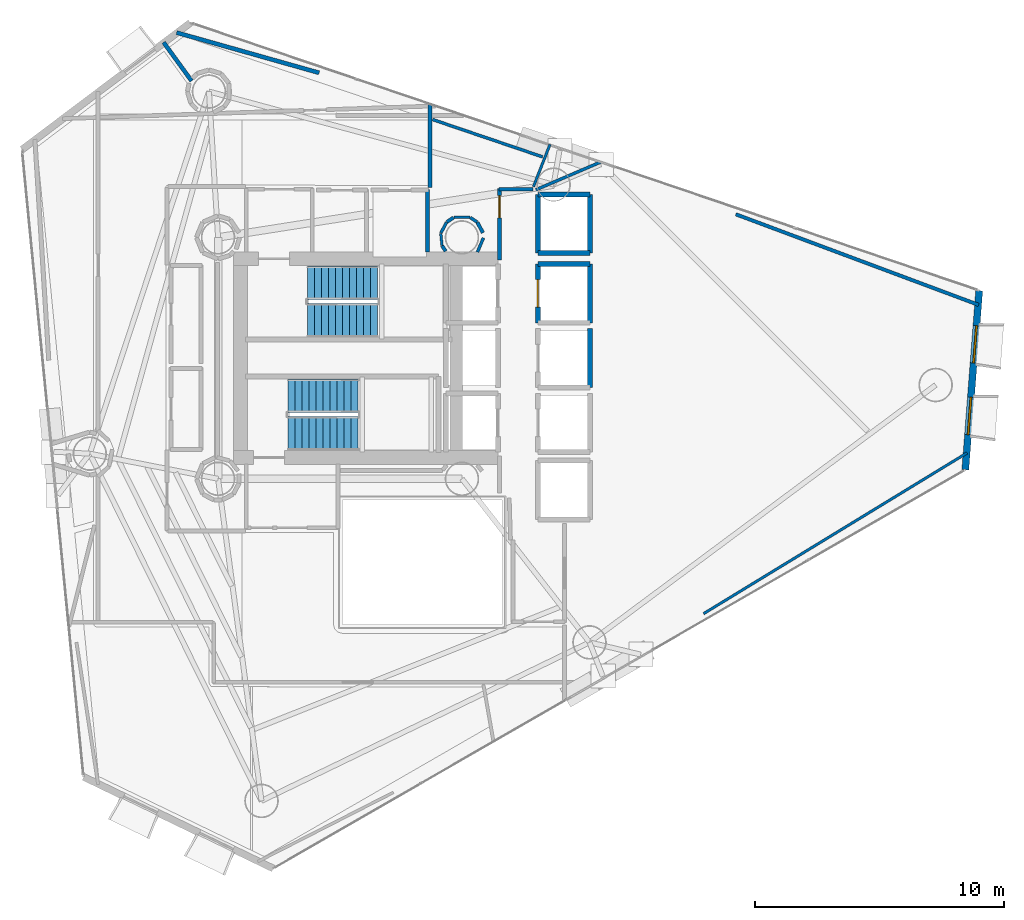
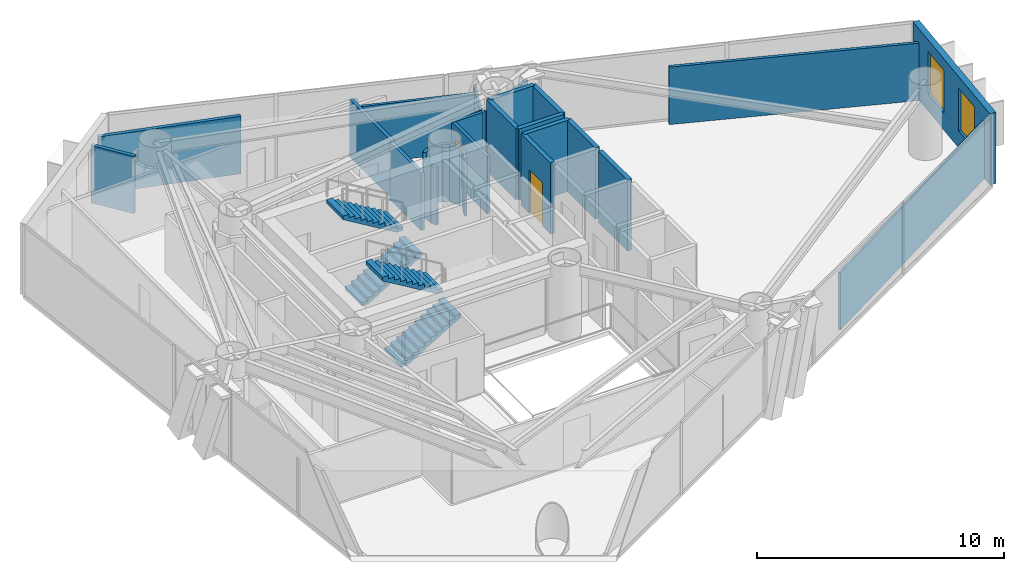
# One storey, part 20 of 22: 28 walls, 4 stair flights, 2 doors, 2 windows, 4 openings, 2 elements without a shape of their own.
"""IFC4 building model written with IfcOpenShell, lengths in metres."""

import ifcopenshell
import ifcopenshell.guid

model = None  # the IFC model being written
_history = None  # IfcOwnerHistory: only IFC2X3 demands one
_inside = {}  # id of a spatial element -> (the spatial element, [elements in it])
_under = {}  # id of a project, library or spatial element -> (it, [spatial elements below it])
_declared = {}  # id of a project -> (the project, [libraries it declares])
_typed = {}  # id of a type object -> (the type object, [elements of that type])
_made_of = {}  # id of a material, layer set ... -> (it, [elements and type objects made of it])


def new_model(schema):
    """Start an empty IFC model of exactly this schema.

    Asked for "IFC4X3", IfcOpenShell would pick the latest addendum, in which some entities
    have other attributes; the version numbers below select the first issue.
    IFC2X3 requires an IfcOwnerHistory on every rooted entity: one is made here for all.
    """
    global model, _history
    if schema == "IFC4X3":
        model = ifcopenshell.file(schema_version=(4, 3, 0, 0))
    else:
        model = ifcopenshell.file(schema=schema)
    _inside.clear()
    _under.clear()
    _declared.clear()
    _typed.clear()
    _made_of.clear()
    _history = None
    if model.schema == "IFC2X3":
        org = make("IfcOrganization", Name="unknown")
        user = make(
            "IfcPersonAndOrganization",
            ThePerson=make("IfcPerson", FamilyName="unknown"),
            TheOrganization=org,
        )
        app = make(
            "IfcApplication",
            ApplicationDeveloper=org,
            Version="unknown",
            ApplicationFullName="unknown",
            ApplicationIdentifier="unknown",
        )
        _history = make(
            "IfcOwnerHistory",
            OwningUser=user,
            OwningApplication=app,
            ChangeAction="ADDED",
            CreationDate=0,
        )
    return model


def make(cls, **values):
    """One entity of the class cls with the attributes given. An attribute that is None is left unset."""
    return model.create_entity(
        cls, **{name: value for name, value in values.items() if value is not None}
    )


def rooted(cls, **values):
    """An entity with a GlobalId (a new one), such as an element, a storey or a relation."""
    return make(cls, GlobalId=ifcopenshell.guid.new(), OwnerHistory=_history, **values)


def si_unit(unit_type, name, prefix=None):
    """IfcSIUnit, for example si_unit("LENGTHUNIT", "METRE", prefix="MILLI")."""
    return make("IfcSIUnit", UnitType=unit_type, Prefix=prefix, Name=name)


def assignment(units):
    """IfcUnitAssignment: the units of a project."""
    return None if units is None else make("IfcUnitAssignment", Units=units)


def point(xyz):
    """IfcCartesianPoint."""
    return None if xyz is None else make("IfcCartesianPoint", Coordinates=xyz)


def direction(xyz):
    """IfcDirection."""
    return None if xyz is None else make("IfcDirection", DirectionRatios=xyz)


def frame(location, z_axis=None, x_axis=None):
    """IfcAxis2Placement3D, a coordinate frame: its origin and axes. An axis left out is left unset."""
    return make(
        "IfcAxis2Placement3D",
        Location=point(location),
        Axis=direction(z_axis),
        RefDirection=direction(x_axis),
    )


def frame_2d(location, x_axis=None):
    """IfcAxis2Placement2D, a coordinate frame in the plane: its origin and x axis."""
    return make(
        "IfcAxis2Placement2D", Location=point(location), RefDirection=direction(x_axis)
    )


def origin():
    """The frame at (0, 0, 0) with its axes left unset."""
    return frame((0.0, 0.0, 0.0))


def place(relative_to, where):
    """IfcLocalPlacement: puts the frame where relative to a parent placement (None: the world)."""
    return make(
        "IfcLocalPlacement", PlacementRelTo=relative_to, RelativePlacement=where
    )


def context(
    kind, dimensions, precision=None, world=None, true_north=None, identifier=None
):
    """IfcGeometricRepresentationContext, for example the 3D "Model" context."""
    return make(
        "IfcGeometricRepresentationContext",
        ContextIdentifier=identifier,
        ContextType=kind,
        CoordinateSpaceDimension=dimensions,
        Precision=precision,
        WorldCoordinateSystem=world,
        TrueNorth=true_north,
    )


def subcontext(parent, identifier, kind, view, scale=None):
    """IfcGeometricRepresentationSubContext, for example "Body" below "Model"."""
    return make(
        "IfcGeometricRepresentationSubContext",
        ContextIdentifier=identifier,
        ContextType=kind,
        ParentContext=parent,
        TargetScale=scale,
        TargetView=view,
    )


def project(units=None, contexts=None):
    """IfcProject with its units and contexts."""
    return rooted(
        "IfcProject",
        Name="project",
        RepresentationContexts=contexts,
        UnitsInContext=assignment(units),
    )


def spatial(cls, under=None, at=None, **own):
    """A site, building, storey or space (cls), placed at a placement, below another one or the project."""
    s = rooted(cls, ObjectPlacement=at, **own)
    if under is not None:
        _under.setdefault(under.id(), (under, []))[1].append(s)
    return s


def polyline(points):
    """IfcPolyline through the points."""
    return make("IfcPolyline", Points=[point(p) for p in points])


def profile(cls, at=None, kind="AREA", **sizes):
    """A parametric profile (cls). Its sizes go by their IFC names, for example OverallWidth=200.0."""
    return make(cls, ProfileType=kind, Position=at, **sizes)


def rectangle(**sizes):
    """IfcRectangleProfileDef."""
    return profile("IfcRectangleProfileDef", **sizes)


def outline(outer, holes=None, kind="AREA"):
    """IfcArbitraryClosedProfileDef: a profile drawn as a closed curve; with holes, ...WithVoids."""
    if holes is None:
        return make("IfcArbitraryClosedProfileDef", ProfileType=kind, OuterCurve=outer)
    return make(
        "IfcArbitraryProfileDefWithVoids",
        ProfileType=kind,
        OuterCurve=outer,
        InnerCurves=holes,
    )


def extrude(swept, where, along, depth):
    """IfcExtrudedAreaSolid: the profile swept, set in the frame where, extruded along a direction by depth."""
    return make(
        "IfcExtrudedAreaSolid",
        SweptArea=swept,
        Position=where,
        ExtrudedDirection=direction(along),
        Depth=depth,
    )


def shape(context_of_items, identifier, shape_type, items):
    """IfcShapeRepresentation: the items that make up one representation, for example the "Body"."""
    return make(
        "IfcShapeRepresentation",
        ContextOfItems=context_of_items,
        RepresentationIdentifier=identifier,
        RepresentationType=shape_type,
        Items=items,
    )


def material(Name=None, Category=None):
    """IfcMaterial."""
    return make("IfcMaterial", Name=Name, Category=Category)


def layer(
    of_material, thickness, ventilated=None, Name=None, Category=None, Priority=None
):
    """IfcMaterialLayer: one layer of a wall or slab, of a material (None: an air gap)."""
    return make(
        "IfcMaterialLayer",
        Material=of_material,
        LayerThickness=thickness,
        IsVentilated=ventilated,
        Name=Name,
        Category=Category,
        Priority=Priority,
    )


def layer_set(layers, Name=None):
    """IfcMaterialLayerSet."""
    return make("IfcMaterialLayerSet", MaterialLayers=layers, LayerSetName=Name)


def made_of(thing, what):
    """Note that an element or type object is made of a material, layer set ...; save() writes the relation."""
    if what is not None:
        _made_of.setdefault(what.id(), (what, []))[1].append(thing)
    return thing


def type_object(cls, material=None, **own):
    """A type object (cls), such as IfcWallType, which elements share."""
    return made_of(rooted(cls, **own), material)


def element(
    cls,
    number,
    at=None,
    inside=None,
    cuts=None,
    type_object=None,
    material=None,
    context=None,
    identifier="Body",
    shape_type=None,
    held_by="IfcProductDefinitionShape",
    body=None,
    shapes=None,
    **own,
):
    """One element of the class cls, such as IfcWall. Its Tag is "e" and its number.

    at: its placement. inside: the storey or other place that contains it. cuts: it is an
    opening in that element (IfcRelVoidsElement). A single representation is given by context,
    identifier, shape_type and body (its items); several are given by shapes. held_by: the class
    of the entity that holds the representations. save() writes the other relations.
    """
    e = rooted(cls, Tag="e%d" % number, ObjectPlacement=at, **own)
    if body is not None:
        shapes = [shape(context, identifier, shape_type, body)]
    if shapes is not None:
        e.Representation = make(held_by, Representations=shapes)
    if inside is not None:
        _inside.setdefault(inside.id(), (inside, []))[1].append(e)
    if cuts is not None:
        rooted(
            "IfcRelVoidsElement", RelatingBuildingElement=cuts, RelatedOpeningElement=e
        )
    if type_object is not None:
        _typed.setdefault(type_object.id(), (type_object, []))[1].append(e)
    return made_of(e, material)


def fill(opening, filler):
    """IfcRelFillsElement: the door or window that sits in an opening."""
    return rooted(
        "IfcRelFillsElement",
        RelatingOpeningElement=opening,
        RelatedBuildingElement=filler,
    )


def aggregate(whole, parts):
    """IfcRelAggregates: a whole, such as a stair, and the parts it consists of."""
    return rooted("IfcRelAggregates", RelatingObject=whole, RelatedObjects=parts)


def save(model, path):
    """Write the relations noted so far, then the file.

    IfcRelAggregates (storeys below a building ...), IfcRelContainedInSpatialStructure (elements
    in a storey), IfcRelDefinesByType, IfcRelAssociatesMaterial and IfcRelDeclares: one each for
    every whole, place, type object, material and project.
    """
    for whole, parts in _under.values():
        aggregate(whole, parts)
    for where, things in _inside.values():
        rooted(
            "IfcRelContainedInSpatialStructure",
            RelatedElements=things,
            RelatingStructure=where,
        )
    for kind, things in _typed.values():
        rooted("IfcRelDefinesByType", RelatedObjects=things, RelatingType=kind)
    for what, things in _made_of.values():
        rooted("IfcRelAssociatesMaterial", RelatedObjects=things, RelatingMaterial=what)
    for by, libraries in _declared.values():
        rooted("IfcRelDeclares", RelatingContext=by, RelatedDefinitions=libraries)
    model.write(path)


model = new_model("IFC4")

# Units and contexts
model_context = context("Model", 3, precision=1e-05, world=origin(), true_north=direction((0.0, 1.0)))
body_context = subcontext(model_context, "Body", "Model", "MODEL_VIEW")
ifc_project = project(units=[si_unit("LENGTHUNIT", "METRE"), si_unit("AREAUNIT", "SQUARE_METRE"), si_unit("VOLUMEUNIT", "CUBIC_METRE"), si_unit("PLANEANGLEUNIT", "RADIAN"), si_unit("MASSUNIT", "GRAM", prefix="KILO")], contexts=[model_context])

# Site, building, storey
site_placement = place(None, origin())
site = spatial("IfcSite", under=ifc_project, at=site_placement, CompositionType="ELEMENT")
building_placement = place(site_placement, origin())
building = spatial("IfcBuilding", under=site, at=building_placement, Name="Qianvela Tower", CompositionType="ELEMENT")
storey_placement = place(building_placement, frame((0.0, 0.0, 169.800048828125)))
storey = spatial("IfcBuildingStorey", under=building, at=storey_placement, Name="L43", CompositionType="ELEMENT", Elevation=169.800048828125)

# Wall, openings, windows
ifc_material_1 = material(Name="Terracotta Cladding on Concrete C40", Category="masonry")
ifc_layer_1 = layer(ifc_material_1, 0.280029296875)
ifc_layer_set_1 = layer_set([ifc_layer_1], Name="Terracotta Cladding on Concrete C40")
wall_type_1 = type_object("IfcWallType", Name="TERRACOTTA-WALL-280", PredefinedType="SOLIDWALL", material=ifc_layer_set_1)
wall_1_placement = place(storey_placement, frame((58.626953125, 24.21533203125, 0.0), z_axis=(0.0, 0.0, 1.0), x_axis=(0.077128498834, 0.997021160592, 0.0)))
wall_1 = element("IfcWall", 1, at=wall_1_placement, inside=storey, type_object=wall_type_1, Name="L43 Terracotta Chamfer Facet Wall 1", PredefinedType="SOLIDWALL", context=body_context, shape_type="SweptSolid", body=[
    extrude(rectangle(XDim=7.217041015625, YDim=0.280029296875, at=frame_2d((3.6083984375, 0.0))), origin(), (0.0, 0.0, 1.0), 3.52001953125),
])
opening_1_placement = place(wall_1_placement, frame((1.4150390625, 0.0, 0.85009765625)))
opening_1 = element("IfcOpeningElement", 2, at=opening_1_placement, cuts=wall_1, Name="Opening W-02", PredefinedType="OPENING", context=body_context, shape_type="SweptSolid", body=[
    extrude(rectangle(XDim=1.5, YDim=2.10009765625, at=frame_2d((0.75, 1.050048828125))), frame((0.0, 0.14990234375, 0.0), z_axis=(0.0, -1.0, 0.0), x_axis=(1.0, 0.0, 0.0)), (0.0, 0.0, 1.0), 0.300048828125),
])
opening_2_placement = place(wall_1_placement, frame((4.302001953125, 0.0, 0.85009765625)))
opening_2 = element("IfcOpeningElement", 3, at=opening_2_placement, cuts=wall_1, Name="Opening W-02", PredefinedType="OPENING", context=body_context, shape_type="SweptSolid", body=[
    extrude(rectangle(XDim=1.5, YDim=2.10009765625, at=frame_2d((0.75, 1.050048828125))), frame((0.0, 0.14990234375, 0.0), z_axis=(0.0, -1.0, 0.0), x_axis=(1.0, 0.0, 0.0)), (0.0, 0.0, 1.0), 0.300048828125),
])
ifc_material_2 = material(Name="Thermally Broken Aluminium and Low-E Glass", Category="aluminium")
window_type = type_object("IfcWindowType", Name="WIN-TC-1500x2100", PartitioningType="DOUBLE_PANEL_VERTICAL", PredefinedType="WINDOW", material=ifc_material_2)
window_1_placement = place(opening_1_placement, origin())
window_1 = element("IfcWindow", 4, at=window_1_placement, inside=storey, type_object=window_type, Name="L43 Chamfer Facet Window 1.1", OverallHeight=2.10009765625, OverallWidth=1.5, PartitioningType="SINGLE_PANEL", PredefinedType="WINDOW", context=body_context, shape_type="SweptSolid", body=[
    extrude(rectangle(XDim=1.5, YDim=2.10009765625, at=frame_2d((0.75, 1.050048828125))), frame((0.0, 0.030029296875, 0.0), z_axis=(0.0, -1.0, 0.0), x_axis=(1.0, 0.0, 0.0)), (0.0, 0.0, 1.0), 0.06005859375),
])
fill(opening_1, window_1)
window_2_placement = place(opening_2_placement, origin())
window_2 = element("IfcWindow", 5, at=window_2_placement, inside=storey, type_object=window_type, Name="L43 Chamfer Facet Window 1.2", OverallHeight=2.10009765625, OverallWidth=1.5, PartitioningType="SINGLE_PANEL", PredefinedType="WINDOW", context=body_context, shape_type="SweptSolid", body=[
    extrude(rectangle(XDim=1.5, YDim=2.10009765625, at=frame_2d((0.75, 1.050048828125))), frame((0.0, 0.030029296875, 0.0), z_axis=(0.0, -1.0, 0.0), x_axis=(1.0, 0.0, 0.0)), (0.0, 0.0, 1.0), 0.06005859375),
])
fill(opening_2, window_2)

# Wall, opening, door
ifc_material_3 = material(Name="Fire-Rated Acoustic Gypsum Board")
ifc_layer_2 = layer(ifc_material_3, 0.14990234375)
ifc_layer_set_2 = layer_set([ifc_layer_2], Name="Fire-Rated Acoustic Gypsum Board")
wall_type_2 = type_object("IfcWallType", Name="WT-CORR-150", PredefinedType="PARTITIONING", material=ifc_layer_set_2)
wall_2_placement = place(storey_placement, frame((39.910888671875, 32.639892578125, 0.0), z_axis=(0.0, 0.0, 1.0), x_axis=(0.0, 1.0, 0.0)))
wall_2 = element("IfcWall", 6, at=wall_2_placement, inside=storey, type_object=wall_type_2, Name="L43 Partition 12", PredefinedType="PARTITIONING", context=body_context, shape_type="SweptSolid", body=[
    extrude(rectangle(XDim=2.880126953125, YDim=0.14990234375, at=frame_2d((1.43994140625, 0.0))), origin(), (0.0, 0.0, 1.0), 2.83984375),
])
opening_3_placement = place(wall_2_placement, frame((1.68994140625, 0.0, 0.0)))
opening_3 = element("IfcOpeningElement", 7, at=opening_3_placement, cuts=wall_2, Name="Opening D-KT1", PredefinedType="OPENING", context=body_context, shape_type="SweptSolid", body=[
    extrude(rectangle(XDim=0.89990234375, YDim=2.10009765625, at=frame_2d((0.449951171875, 1.050048828125))), frame((0.0, 0.0849609375, 0.0), z_axis=(0.0, -1.0, 0.0), x_axis=(1.0, 0.0, 0.0)), (0.0, 0.0, 1.0), 0.169921875),
])
ifc_material_4 = material(Name="Glazed Timber Kitchen Door", Category="wood")
door_type_1 = type_object("IfcDoorType", Name="DT-KITCH-900", OperationType="NOTDEFINED", PredefinedType="DOOR", material=ifc_material_4)
door_1_placement = place(opening_3_placement, origin())
door_1 = element("IfcDoor", 8, at=door_1_placement, inside=storey, type_object=door_type_1, Name="L43 Door Debate Lecture Classroom L43-03 to L43 Lift Lobby", OperationType="SINGLE_SWING_RIGHT", OverallHeight=2.10009765625, OverallWidth=0.89990234375, PredefinedType="DOOR", context=body_context, shape_type="SweptSolid", body=[
    extrude(rectangle(XDim=0.89990234375, YDim=2.10009765625, at=frame_2d((0.449951171875, 1.050048828125))), frame((0.0, 0.02490234375, 0.0), z_axis=(0.0, -1.0, 0.0), x_axis=(1.0, 0.0, 0.0)), (0.0, 0.0, 1.0), 0.050048828125),
])
fill(opening_3, door_1)

# Walls
wall_3_placement = place(storey_placement, frame((39.8798828125, 35.489013671875, 0.0), z_axis=(0.0, 0.0, 1.0), x_axis=(1.0, 0.0, 0.0)))
element("IfcWall", 9, at=wall_3_placement, inside=storey, type_object=wall_type_2, Name="L43 Partition 13", PredefinedType="PARTITIONING", context=body_context, shape_type="SweptSolid", body=[
    extrude(rectangle(XDim=1.3828125, YDim=0.14990234375, at=frame_2d((0.69140625, 0.0))), origin(), (0.0, 0.0, 1.0), 2.83984375),
])
wall_4_placement = place(storey_placement, frame((37.118896484375, 38.922119140625, 0.0), z_axis=(0.0, 0.0, 1.0), x_axis=(0.0, -1.0, 0.0)))
element("IfcWall", 10, at=wall_4_placement, inside=storey, type_object=wall_type_2, Name="L43 Partition 55 seg 1", PredefinedType="PARTITIONING", context=body_context, shape_type="SweptSolid", body=[
    extrude(rectangle(XDim=3.362060546875, YDim=0.14990234375, at=frame_2d((1.68115234375, 0.0))), origin(), (0.0, 0.0, 1.0), 2.83984375),
])
ifc_material_5 = material(Name="Lightweight Gypsum Room Partition")
ifc_layer_3 = layer(ifc_material_5, 0.10498046875)
ifc_layer_set_3 = layer_set([ifc_layer_3], Name="Lightweight Gypsum Room Partition")
wall_type_3 = type_object("IfcWallType", Name="WT-PART-105", PredefinedType="PARTITIONING", material=ifc_layer_set_3)
wall_5_placement = place(storey_placement, frame((41.27294921875, 35.588623046875, 0.0), z_axis=(0.0, 0.0, 1.0), x_axis=(0.365105724435, 0.930966062746, 0.0)))
element("IfcWall", 11, at=wall_5_placement, inside=storey, type_object=wall_type_3, Name="L43 Partition 84", PredefinedType="PARTITIONING", context=body_context, shape_type="SweptSolid", body=[
    extrude(rectangle(XDim=1.82421875, YDim=0.10498046875, at=frame_2d((0.912109375, 0.0))), origin(), (0.0, 0.0, 1.0), 2.83984375),
])
wall_6_placement = place(storey_placement, frame((58.69580078125, 24.890869140625, 0.0), z_axis=(0.0, 0.0, 1.0), x_axis=(-0.853648476831, -0.520849573297, 0.0)))
element("IfcWall", 12, at=wall_6_placement, inside=storey, type_object=wall_type_3, Name="L43 Partition 87 seg 1", PredefinedType="PARTITIONING", context=body_context, shape_type="SweptSolid", body=[
    extrude(rectangle(XDim=12.403564453125, YDim=0.10498046875, at=frame_2d((6.20166015625, 0.0))), origin(), (0.0, 0.0, 1.0), 2.83984375),
])
wall_7_placement = place(storey_placement, frame((38.719482421875, 34.352294921875, 0.0), z_axis=(0.0, 0.0, 1.0), x_axis=(-1.0, 0.0, 0.0)))
element("IfcWall", 13, at=wall_7_placement, inside=storey, type_object=wall_type_3, Name="L43 Partition 93", PredefinedType="PARTITIONING", context=body_context, shape_type="SweptSolid", body=[
    extrude(rectangle(XDim=0.638916015625, YDim=0.10498046875, at=frame_2d((0.3193359375, 0.0))), origin(), (0.0, 0.0, 1.0), 2.83984375),
])
wall_8_placement = place(storey_placement, frame((37.55029296875, 33.7099609375, 0.0), z_axis=(0.0, 0.0, 1.0), x_axis=(0.097659413047, -0.995219894819, 0.0)))
element("IfcWall", 14, at=wall_8_placement, inside=storey, type_object=wall_type_3, Name="L43 Partition 96", PredefinedType="PARTITIONING", context=body_context, shape_type="SweptSolid", body=[
    extrude(rectangle(XDim=0.48486328125, YDim=0.10498046875, at=frame_2d((0.242431640625, 0.0))), origin(), (0.0, 0.0, 1.0), 2.83984375),
])
ifc_material_6 = material(Name="Insulated Gypsum Stud Partition")
ifc_layer_4 = layer(ifc_material_6, 0.1201171875)
ifc_layer_set_4 = layer_set([ifc_layer_4], Name="Insulated Gypsum Stud Partition")
wall_type_4 = type_object("IfcWallType", Name="WT-PART-120", PredefinedType="PARTITIONING", material=ifc_layer_set_4)
wall_9_placement = place(storey_placement, frame((43.96923828125, 36.576416015625, 0.0), z_axis=(0.0, 0.0, 1.0), x_axis=(-0.919028863482, -0.394190243521, 0.0)))
element("IfcWall", 15, at=wall_9_placement, inside=storey, type_object=wall_type_4, Name="L43 Partition 83", PredefinedType="PARTITIONING", context=body_context, shape_type="SweptSolid", body=[
    extrude(rectangle(XDim=2.827392578125, YDim=0.1201171875, at=frame_2d((1.41357421875, 0.0))), origin(), (0.0, 0.0, 1.0), 2.83984375),
])
wall_10_placement = place(storey_placement, frame((39.0078125, 34.166259765625, 0.0), z_axis=(0.0, 0.0, 1.0), x_axis=(-0.83170430964, 0.555218822922, 0.0)))
element("IfcWall", 16, at=wall_10_placement, inside=storey, type_object=wall_type_4, Name="L43 Partition 92", PredefinedType="PARTITIONING", context=body_context, shape_type="SweptSolid", body=[
    extrude(rectangle(XDim=0.325927734375, YDim=0.1201171875, at=frame_2d((0.1630859375, 0.0))), origin(), (0.0, 0.0, 1.0), 2.83984375),
])
wall_11_placement = place(storey_placement, frame((37.7822265625, 34.155029296875, 0.0), z_axis=(0.0, 0.0, 1.0), x_axis=(-0.471424550379, -0.88190639713, 0.0)))
element("IfcWall", 17, at=wall_11_placement, inside=storey, type_object=wall_type_4, Name="L43 Partition 95", PredefinedType="PARTITIONING", context=body_context, shape_type="SweptSolid", body=[
    extrude(rectangle(XDim=0.484619140625, YDim=0.1201171875, at=frame_2d((0.2421875, 0.0))), origin(), (0.0, 0.0, 1.0), 2.83984375),
])
wall_12_placement = place(storey_placement, frame((39.023193359375, 32.9580078125, 0.0), z_axis=(0.0, 0.0, 1.0), x_axis=(0.385702795868, 0.922623082987, 0.0)))
element("IfcWall", 18, at=wall_12_placement, inside=storey, type_object=wall_type_4, Name="L43 Partition 101", PredefinedType="PARTITIONING", context=body_context, shape_type="SweptSolid", body=[
    extrude(rectangle(XDim=0.62158203125, YDim=0.1201171875, at=frame_2d((0.310791015625, 0.0))), origin(), (0.0, 0.0, 1.0), 2.83984375),
])
wall_13_placement = place(storey_placement, frame((37.219970703125, 38.285888671875, 0.0), z_axis=(0.0, 0.0, 1.0), x_axis=(0.946917915535, -0.321475444224, 0.0)))
element("IfcWall", 19, at=wall_13_placement, inside=storey, type_object=wall_type_4, Name="L43 Partition 104", PredefinedType="PARTITIONING", context=body_context, shape_type="SweptSolid", body=[
    extrude(rectangle(XDim=4.67138671875, YDim=0.1201171875, at=frame_2d((2.335693359375, 0.0))), origin(), (0.0, 0.0, 1.0), 2.83984375),
])
ifc_material_7 = material(Name="Sanitary Service Chase Partition")
ifc_layer_5 = layer(ifc_material_7, 0.1650390625)
ifc_layer_set_5 = layer_set([ifc_layer_5], Name="Sanitary Service Chase Partition")
wall_type_5 = type_object("IfcWallType", Name="WT-PLUMB-165", PredefinedType="PLUMBINGWALL", material=ifc_layer_set_5)
wall_14_placement = place(storey_placement, frame((37.01904296875, 35.47998046875, 0.0), z_axis=(0.0, 0.0, 1.0), x_axis=(0.0, -1.0, 0.0)))
element("IfcWall", 20, at=wall_14_placement, inside=storey, type_object=wall_type_5, Name="L43 Partition 27", PredefinedType="PLUMBINGWALL", context=body_context, shape_type="SweptSolid", body=[
    extrude(rectangle(XDim=2.52197265625, YDim=0.1650390625, at=frame_2d((1.260986328125, 0.0))), origin(), (0.0, 0.0, 1.0), 2.83984375),
])
wall_15_placement = place(storey_placement, frame((27.536376953125, 39.837890625, 0.0), z_axis=(0.0, 0.0, 1.0), x_axis=(-0.587823187108, 0.808989431759, 0.0)))
element("IfcWall", 21, at=wall_15_placement, inside=storey, type_object=wall_type_5, Name="L43 Partition 115", PredefinedType="PLUMBINGWALL", context=body_context, shape_type="SweptSolid", body=[
    extrude(rectangle(XDim=1.916259765625, YDim=0.1650390625, at=frame_2d((0.9580078125, 0.0))), origin(), (0.0, 0.0, 1.0), 2.83984375),
])
wall_16_placement = place(storey_placement, frame((26.93359375, 41.7783203125, 0.0), z_axis=(0.0, 0.0, 1.0), x_axis=(0.962422740624, -0.271555644997, 0.0)))
element("IfcWall", 22, at=wall_16_placement, inside=storey, type_object=wall_type_5, Name="L43 Partition 116 seg 1", PredefinedType="PLUMBINGWALL", context=body_context, shape_type="SweptSolid", body=[
    extrude(rectangle(XDim=5.95166015625, YDim=0.1650390625, at=frame_2d((2.975830078125, 0.0))), origin(), (0.0, 0.0, 1.0), 2.83984375),
])
ifc_material_8 = material(Name="Acoustic Double Gypsum Stud Partition")
ifc_layer_6 = layer(ifc_material_8, 0.139892578125)
ifc_layer_set_6 = layer_set([ifc_layer_6], Name="Acoustic Double Gypsum Stud Partition")
wall_type_6 = type_object("IfcWallType", Name="WT-ROOM-140", PredefinedType="PARTITIONING", material=ifc_layer_set_6)
wall_17_placement = place(storey_placement, frame((49.4052734375, 34.477294921875, 0.0), z_axis=(0.0, 0.0, 1.0), x_axis=(0.936892733085, -0.349616942799, 0.0)))
element("IfcWall", 23, at=wall_17_placement, inside=storey, type_object=wall_type_6, Name="L43 Partition 85 seg 1", PredefinedType="PARTITIONING", context=body_context, shape_type="SweptSolid", body=[
    extrude(rectangle(XDim=10.410400390625, YDim=0.139892578125, at=frame_2d((5.205078125, 0.0))), origin(), (0.0, 0.0, 1.0), 2.83984375),
])
wall_18_placement = place(storey_placement, frame((39.242919921875, 33.73828125, 0.0), z_axis=(0.0, 0.0, 1.0), x_axis=(-0.475420071565, 0.879758918996, 0.0)))
element("IfcWall", 24, at=wall_18_placement, inside=storey, type_object=wall_type_6, Name="L43 Partition 91", PredefinedType="PARTITIONING", context=body_context, shape_type="SweptSolid", body=[
    extrude(rectangle(XDim=0.473876953125, YDim=0.139892578125, at=frame_2d((0.23681640625, 0.0))), origin(), (0.0, 0.0, 1.0), 2.83984375),
])
wall_19_placement = place(storey_placement, frame((38.063232421875, 34.34716796875, 0.0), z_axis=(0.0, 0.0, 1.0), x_axis=(-0.83170430964, -0.555218822922, 0.0)))
element("IfcWall", 25, at=wall_19_placement, inside=storey, type_object=wall_type_6, Name="L43 Partition 94", PredefinedType="PARTITIONING", context=body_context, shape_type="SweptSolid", body=[
    extrude(rectangle(XDim=0.325927734375, YDim=0.139892578125, at=frame_2d((0.1630859375, 0.0))), origin(), (0.0, 0.0, 1.0), 2.83984375),
])
wall_20_placement = place(storey_placement, frame((37.602783203125, 33.213134765625, 0.0), z_axis=(0.0, 0.0, 1.0), x_axis=(0.555554602959, -0.831480055762, 0.0)))
element("IfcWall", 26, at=wall_20_placement, inside=storey, type_object=wall_type_6, Name="L43 Partition 97", PredefinedType="PARTITIONING", context=body_context, shape_type="SweptSolid", body=[
    extrude(rectangle(XDim=0.263671875, YDim=0.139892578125, at=frame_2d((0.1318359375, 0.0))), origin(), (0.0, 0.0, 1.0), 2.83984375),
])
ifc_material_9 = material(Name="Concrete C50", Category="concrete")
ifc_layer_7 = layer(ifc_material_9, 0.199951171875)
ifc_layer_set_7 = layer_set([ifc_layer_7], Name="Concrete C50")
wall_type_7 = type_object("IfcWallType", Name="WT-SHAFT-200", PredefinedType="SOLIDWALL", material=ifc_layer_set_7)
wall_21_placement = place(storey_placement, frame((43.550048828125, 30.1201171875, 0.0), z_axis=(0.0, 0.0, 1.0), x_axis=(0.0, 1.0, 0.0)))
element("IfcWall", 27, at=wall_21_placement, inside=storey, type_object=wall_type_7, Name="L43 Lift PL-M1 E Shaft Wall", PredefinedType="SOLIDWALL", context=body_context, shape_type="SweptSolid", body=[
    extrude(rectangle(XDim=2.35986328125, YDim=0.199951171875, at=frame_2d((1.179931640625, 0.0))), origin(), (0.0, 0.0, 1.0), 3.52001953125),
])

# Wall, opening, door
wall_22_placement = place(storey_placement, frame((41.449951171875, 30.1201171875, 0.0), z_axis=(0.0, 0.0, 1.0), x_axis=(0.0, 1.0, 0.0)))
wall_22 = element("IfcWall", 28, at=wall_22_placement, inside=storey, type_object=wall_type_7, Name="L43 Lift PL-M1 W Shaft Wall", PredefinedType="SOLIDWALL", context=body_context, shape_type="SweptSolid", body=[
    extrude(rectangle(XDim=2.35986328125, YDim=0.199951171875, at=frame_2d((1.179931640625, 0.0))), origin(), (0.0, 0.0, 1.0), 3.52001953125),
])
opening_4_placement = place(wall_22_placement, frame((0.6298828125, 0.0, 0.0)))
opening_4 = element("IfcOpeningElement", 29, at=opening_4_placement, cuts=wall_22, Name="Opening LD-01", PredefinedType="OPENING", context=body_context, shape_type="SweptSolid", body=[
    extrude(rectangle(XDim=1.10009765625, YDim=2.14990234375, at=frame_2d((0.550048828125, 1.074951171875))), frame((0.0, 0.10986328125, 0.0), z_axis=(0.0, -1.0, 0.0), x_axis=(1.0, 0.0, 0.0)), (0.0, 0.0, 1.0), 0.219970703125),
])
ifc_material_10 = material(Name="Brushed Stainless Steel Lift Landing Door", Category="steel")
door_type_2 = type_object("IfcDoorType", Name="DT-LIFT-SLIDE-1100", OperationType="SLIDING_TO_LEFT", PredefinedType="DOOR", material=ifc_material_10)
door_2_placement = place(opening_4_placement, origin())
door_2 = element("IfcDoor", 30, at=door_2_placement, inside=storey, type_object=door_type_2, Name="L43 Lift PL-M1 Sliding Landing Door", OperationType="SLIDING_TO_LEFT", OverallHeight=2.14990234375, OverallWidth=1.10009765625, PredefinedType="DOOR", context=body_context, shape_type="SweptSolid", body=[
    extrude(rectangle(XDim=1.10009765625, YDim=2.14990234375, at=frame_2d((0.550048828125, 1.074951171875))), frame((0.0, 0.02490234375, 0.0), z_axis=(0.0, -1.0, 0.0), x_axis=(1.0, 0.0, 0.0)), (0.0, 0.0, 1.0), 0.050048828125),
])
fill(opening_4, door_2)

# Walls
wall_23_placement = place(storey_placement, frame((41.449951171875, 32.47998046875, 0.0), z_axis=(0.0, 0.0, 1.0), x_axis=(1.0, 0.0, 0.0)))
element("IfcWall", 31, at=wall_23_placement, inside=storey, type_object=wall_type_7, Name="L43 Lift PL-M1 N Shaft Wall", PredefinedType="SOLIDWALL", context=body_context, shape_type="SweptSolid", body=[
    extrude(rectangle(XDim=2.10009765625, YDim=0.199951171875, at=frame_2d((1.050048828125, 0.0))), origin(), (0.0, 0.0, 1.0), 3.52001953125),
])
wall_24_placement = place(storey_placement, frame((43.550048828125, 27.52001953125, 0.0), z_axis=(0.0, 0.0, 1.0), x_axis=(0.0, 1.0, 0.0)))
element("IfcWall", 32, at=wall_24_placement, inside=storey, type_object=wall_type_7, Name="L43 Lift PL-M2 E Shaft Wall", PredefinedType="SOLIDWALL", context=body_context, shape_type="SweptSolid", body=[
    extrude(rectangle(XDim=2.35986328125, YDim=0.199951171875, at=frame_2d((1.179931640625, 0.0))), origin(), (0.0, 0.0, 1.0), 3.52001953125),
])
for number, where, z_axis, x_axis, name in (
    (33, (43.550048828125, 32.919921875, 0.0), (0.0, 0.0, 1.0), (0.0, 1.0, 0.0), "L43 Lift PL-H3 E Shaft Wall"),
    (34, (41.449951171875, 32.919921875, 0.0), (0.0, 0.0, 1.0), (0.0, 1.0, 0.0), "L43 Lift PL-H3 W Shaft Wall"),
):
    element("IfcWall", number, at=place(storey_placement, frame(where, z_axis=z_axis, x_axis=x_axis)), inside=storey, type_object=wall_type_7, Name=name, PredefinedType="SOLIDWALL", context=body_context, shape_type="SweptSolid", body=[
        extrude(rectangle(XDim=2.360107421875, YDim=0.199951171875, at=frame_2d((1.18017578125, 0.0))), origin(), (0.0, 0.0, 1.0), 3.52001953125),
    ])
for number, where, z_axis, x_axis, name in (
    (35, (41.449951171875, 35.280029296875, 0.0), (0.0, 0.0, 1.0), (1.0, 0.0, 0.0), "L43 Lift PL-H3 N Shaft Wall"),
    (36, (41.449951171875, 32.919921875, 0.0), (0.0, 0.0, 1.0), (1.0, 0.0, 0.0), "L43 Lift PL-H3 S Shaft Wall"),
):
    element("IfcWall", number, at=place(storey_placement, frame(where, z_axis=z_axis, x_axis=x_axis)), inside=storey, type_object=wall_type_7, Name=name, PredefinedType="SOLIDWALL", context=body_context, shape_type="SweptSolid", body=[
        extrude(rectangle(XDim=2.10009765625, YDim=0.199951171875, at=frame_2d((1.050048828125, 0.0))), origin(), (0.0, 0.0, 1.0), 3.52001953125),
    ])

# Stair, stair flights
ifc_material_11 = material(Name="Concrete C40", Category="concrete")
stair_type = type_object("IfcStairType", Name="ST-DOGLEG-1350-R168-N22", PredefinedType="HALF_TURN_STAIR", material=ifc_material_11)
stair_1_placement = place(storey_placement, origin())
stair_1 = element("IfcStair", 37, at=stair_1_placement, inside=storey, type_object=stair_type, Name="L43 Smoke-Proof Core Stair ST-1", PredefinedType="HALF_TURN_STAIR")
ifc_material_12 = material(Name="Concrete C40", Category="concrete")
stair_flight_type = type_object("IfcStairFlightType", Name="STF-STRAIGHT-R168-P11", PredefinedType="STRAIGHT", material=ifc_material_12)
stair_flight_1_placement = place(storey_placement, frame((32.199951171875, 30.215087890625, 0.0), z_axis=(0.0, 0.0, 1.0), x_axis=(1.0, 0.0, 0.0)))
stair_flight_1 = element("IfcStairFlight", 38, at=stair_flight_1_placement, type_object=stair_flight_type, Name="ST-1 flight 1", NumberOfRisers=11, NumberOfTreads=10, PredefinedType="STRAIGHT", RiserHeight=0.168181818, TreadLength=0.28, context=body_context, shape_type="SweptSolid", body=[
    extrude(outline(polyline([(0.0, 0.0), (0.0, 0.168212890625), (0.280029296875, 0.168212890625), (0.280029296875, 0.33642578125), (0.56005859375, 0.33642578125), (0.56005859375, 0.504638671875), (0.840087890625, 0.504638671875), (0.840087890625, 0.672607421875), (1.1201171875, 0.672607421875), (1.1201171875, 0.8408203125), (1.39990234375, 0.8408203125), (1.39990234375, 1.009033203125), (1.679931640625, 1.009033203125), (1.679931640625, 1.17724609375), (1.9599609375, 1.17724609375), (1.9599609375, 1.345458984375), (2.239990234375, 1.345458984375), (2.239990234375, 1.513671875), (2.52001953125, 1.513671875), (2.52001953125, 1.681884765625), (2.800048828125, 1.681884765625), (2.800048828125, 1.85009765625), (2.800048828125, 1.5068359375), (0.291015625, 0.0), (0.0, 0.0)])), frame((0.0, 0.675048828125, 0.0), z_axis=(0.0, -1.0, 0.0), x_axis=(1.0, 0.0, 0.0)), (0.0, 0.0, 1.0), 1.35009765625),
])
stair_flight_2_placement = place(storey_placement, frame((35.0, 31.72509765625, 1.849853515625), z_axis=(0.0, 0.0, 1.0), x_axis=(-1.0, 0.0, 0.0)))
stair_flight_2 = element("IfcStairFlight", 39, at=stair_flight_2_placement, type_object=stair_flight_type, Name="ST-1 flight 2", NumberOfRisers=11, NumberOfTreads=10, PredefinedType="STRAIGHT", RiserHeight=0.168181818, TreadLength=0.28, context=body_context, shape_type="SweptSolid", body=[
    extrude(outline(polyline([(0.0, 0.0), (0.0, 0.168212890625), (0.280029296875, 0.168212890625), (0.280029296875, 0.33642578125), (0.56005859375, 0.33642578125), (0.56005859375, 0.504638671875), (0.840087890625, 0.504638671875), (0.840087890625, 0.672607421875), (1.1201171875, 0.672607421875), (1.1201171875, 0.8408203125), (1.39990234375, 0.8408203125), (1.39990234375, 1.009033203125), (1.679931640625, 1.009033203125), (1.679931640625, 1.17724609375), (1.9599609375, 1.17724609375), (1.9599609375, 1.345458984375), (2.239990234375, 1.345458984375), (2.239990234375, 1.513671875), (2.52001953125, 1.513671875), (2.52001953125, 1.681884765625), (2.800048828125, 1.681884765625), (2.800048828125, 1.85009765625), (2.800048828125, 1.5068359375), (0.291015625, 0.0), (0.0, 0.0)])), frame((0.0, 0.675048828125, 0.0), z_axis=(0.0, -1.0, 0.0), x_axis=(1.0, 0.0, 0.0)), (0.0, 0.0, 1.0), 1.35009765625),
])
aggregate(stair_1, [stair_flight_1, stair_flight_2])

stair_2_placement = place(storey_placement, origin())
stair_2 = element("IfcStair", 40, at=stair_2_placement, inside=storey, type_object=stair_type, Name="L43 Smoke-Proof Core Stair ST-2", PredefinedType="HALF_TURN_STAIR")
stair_flight_3_placement = place(storey_placement, frame((31.419921875, 25.675048828125, 0.0), z_axis=(0.0, 0.0, 1.0), x_axis=(1.0, 0.0, 0.0)))
stair_flight_3 = element("IfcStairFlight", 41, at=stair_flight_3_placement, type_object=stair_flight_type, Name="ST-2 flight 1", NumberOfRisers=11, NumberOfTreads=10, PredefinedType="STRAIGHT", RiserHeight=0.168181818, TreadLength=0.28, context=body_context, shape_type="SweptSolid", body=[
    extrude(outline(polyline([(0.0, 0.0), (0.0, 0.168212890625), (0.280029296875, 0.168212890625), (0.280029296875, 0.33642578125), (0.56005859375, 0.33642578125), (0.56005859375, 0.504638671875), (0.840087890625, 0.504638671875), (0.840087890625, 0.672607421875), (1.1201171875, 0.672607421875), (1.1201171875, 0.8408203125), (1.39990234375, 0.8408203125), (1.39990234375, 1.009033203125), (1.679931640625, 1.009033203125), (1.679931640625, 1.17724609375), (1.9599609375, 1.17724609375), (1.9599609375, 1.345458984375), (2.239990234375, 1.345458984375), (2.239990234375, 1.513671875), (2.52001953125, 1.513671875), (2.52001953125, 1.681884765625), (2.800048828125, 1.681884765625), (2.800048828125, 1.85009765625), (2.800048828125, 1.5068359375), (0.291015625, 0.0), (0.0, 0.0)])), frame((0.0, 0.675048828125, 0.0), z_axis=(0.0, -1.0, 0.0), x_axis=(1.0, 0.0, 0.0)), (0.0, 0.0, 1.0), 1.35009765625),
])
stair_flight_4_placement = place(storey_placement, frame((34.219970703125, 27.18505859375, 1.849853515625), z_axis=(0.0, 0.0, 1.0), x_axis=(-1.0, 0.0, 0.0)))
stair_flight_4 = element("IfcStairFlight", 42, at=stair_flight_4_placement, type_object=stair_flight_type, Name="ST-2 flight 2", NumberOfRisers=11, NumberOfTreads=10, PredefinedType="STRAIGHT", RiserHeight=0.168181818, TreadLength=0.28, context=body_context, shape_type="SweptSolid", body=[
    extrude(outline(polyline([(0.0, 0.0), (0.0, 0.168212890625), (0.280029296875, 0.168212890625), (0.280029296875, 0.33642578125), (0.56005859375, 0.33642578125), (0.56005859375, 0.504638671875), (0.840087890625, 0.504638671875), (0.840087890625, 0.672607421875), (1.1201171875, 0.672607421875), (1.1201171875, 0.8408203125), (1.39990234375, 0.8408203125), (1.39990234375, 1.009033203125), (1.679931640625, 1.009033203125), (1.679931640625, 1.17724609375), (1.9599609375, 1.17724609375), (1.9599609375, 1.345458984375), (2.239990234375, 1.345458984375), (2.239990234375, 1.513671875), (2.52001953125, 1.513671875), (2.52001953125, 1.681884765625), (2.800048828125, 1.681884765625), (2.800048828125, 1.85009765625), (2.800048828125, 1.5068359375), (0.291015625, 0.0), (0.0, 0.0)])), frame((0.0, 0.675048828125, 0.0), z_axis=(0.0, -1.0, 0.0), x_axis=(1.0, 0.0, 0.0)), (0.0, 0.0, 1.0), 1.35009765625),
])
aggregate(stair_2, [stair_flight_3, stair_flight_4])

save(model, "model.ifc")
